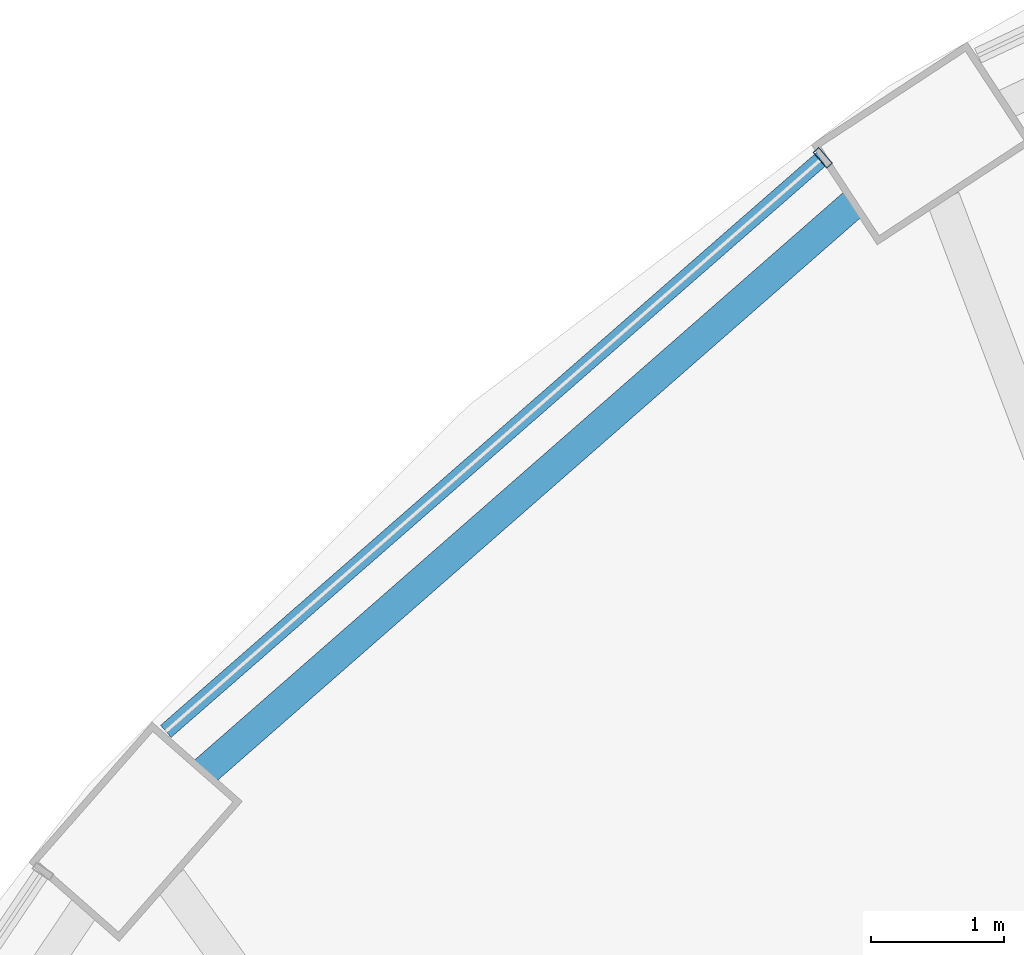
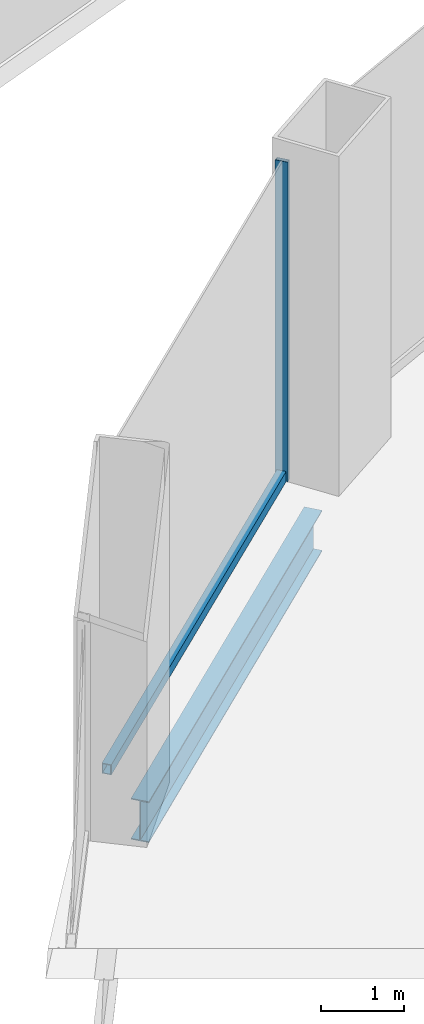
# One storey, part 29 of 48: 2 members, 1 beam, 1 element without a shape of its own.
"""IFC4 building model written with IfcOpenShell, lengths in metres."""

from ifc_helpers import new_model, si_unit, direction, frame, origin, origin_2d, place, context, subcontext, project, spatial, hollow_rectangle, i_section, extrude, material, layer, layer_set, material_profile, profile_set, type_object, element, aggregate, save


model = new_model("IFC4")

# Units and contexts
model_context = context("Model", 3, precision=1e-05, world=origin(), true_north=direction((0.0, 1.0)))
body_context = subcontext(model_context, "Body", "Model", "MODEL_VIEW")
ifc_project = project(units=[si_unit("LENGTHUNIT", "METRE"), si_unit("AREAUNIT", "SQUARE_METRE"), si_unit("VOLUMEUNIT", "CUBIC_METRE"), si_unit("PLANEANGLEUNIT", "RADIAN"), si_unit("MASSUNIT", "GRAM", prefix="KILO")], contexts=[model_context])

# Site, building, storey
site_placement = place(None, origin())
site = spatial("IfcSite", under=ifc_project, at=site_placement, CompositionType="ELEMENT")
building_placement = place(site_placement, origin())
building = spatial("IfcBuilding", under=site, at=building_placement, Name="Nagisa Residences", CompositionType="ELEMENT")
storey_placement = place(building_placement, frame((0.0, 0.0, 12.0)))
storey = spatial("IfcBuildingStorey", under=building, at=storey_placement, Name="L02", CompositionType="ELEMENT", Elevation=12.0)

# Curtain wall, members
ifc_material_1 = material(Name="Stainless steel curtain wall system", Category="steel")
ifc_layer = layer(ifc_material_1, 0.159912109375)
ifc_layer_set = layer_set([ifc_layer], Name="CW6 CURTAIN WALL")
curtain_wall_type = type_object("IfcCurtainWallType", Name="CW6 CURTAIN WALL", PredefinedType="NOTDEFINED", material=ifc_layer_set)
curtain_wall_placement = place(storey_placement, origin())
curtain_wall = element("IfcCurtainWall", 1, at=curtain_wall_placement, inside=storey, type_object=curtain_wall_type, Name="cw:CW6:L02:16", PredefinedType="NOTDEFINED")
ifc_material_2 = material(Name="Stainless steel", Category="steel")
ifc_material_profile_1 = material_profile(ifc_material_2, hollow_rectangle(XDim=0.159912109375, YDim=0.06005859375, WallThickness=0.006103515625, at=origin_2d()), Name="CW6 MULLION 160x60")
ifc_profile_set_1 = profile_set([ifc_material_profile_1], Name="Stainless steel")
member_type_1 = type_object("IfcMemberType", Name="CW6 MULLION 160x60", PredefinedType="MULLION", material=ifc_profile_set_1)
member_1_placement = place(storey_placement, frame((-11.397216796875, 28.038330078125, 0.0), z_axis=(0.0, 0.0, 1.0), x_axis=(0.657721475708, -0.753261216572, 0.0)))
member_1 = element("IfcMember", 2, at=member_1_placement, type_object=member_type_1, Name="CW6 mullion", PredefinedType="MULLION", context=body_context, shape_type="SweptSolid", body=[
    extrude(hollow_rectangle(XDim=0.159912109375, YDim=0.06005859375, WallThickness=0.006103515625, at=origin_2d()), origin(), (0.0, 0.0, 1.0), 4.699951171875),
])
ifc_material_3 = material(Name="Stainless steel", Category="steel")
ifc_material_profile_2 = material_profile(ifc_material_3, hollow_rectangle(XDim=0.1201171875, YDim=0.14990234375, WallThickness=0.008056640625, at=origin_2d()), Name="CW6 TRANSOM 120x150")
ifc_profile_set_2 = profile_set([ifc_material_profile_2], Name="Stainless steel")
member_type_2 = type_object("IfcMemberType", Name="CW6 TRANSOM 120x150", PredefinedType="USERDEFINED", material=ifc_profile_set_2)
member_2_placement = place(storey_placement, frame((-11.374755859375, 28.05810546875, 0.074951171875), z_axis=(-0.753255020636, -0.657728571591, 0.0), x_axis=(0.657728571591, -0.753255020636, 0.0)))
member_2 = element("IfcMember", 3, at=member_2_placement, type_object=member_type_2, Name="CW6 transom", ObjectType="TRANSOM", PredefinedType="USERDEFINED", context=body_context, shape_type="SweptSolid", body=[
    extrude(hollow_rectangle(XDim=0.1201171875, YDim=0.14990234375, WallThickness=0.008056640625, at=origin_2d()), origin(), (0.0, 0.0, 1.0), 6.5732421875),
])
aggregate(curtain_wall, [member_1, member_2])

# Beam
ifc_material_4 = material(Name="Steel ASTM A572 Gr 50", Category="steel")
ifc_material_profile_3 = material_profile(ifc_material_4, i_section(OverallWidth=0.22802734375, OverallDepth=0.60302734375, WebThickness=0.010498046875, FlangeThickness=0.014892578125, at=origin_2d()), Name="W610x101")
ifc_profile_set_3 = profile_set([ifc_material_profile_3], Name="Steel ASTM A572 Gr 50")
beam_type = type_object("IfcBeamType", Name="Perimeter ring beam W610x101", PredefinedType="BEAM", material=ifc_profile_set_3)
beam_placement = place(storey_placement, frame((-11.166748046875, 27.693603515625, -0.6015625), z_axis=(-0.752574357292, -0.658507279191, 0.0), x_axis=(0.658507279191, -0.752574357292, 0.0)))
element("IfcBeam", 4, at=beam_placement, inside=storey, type_object=beam_type, Name="beam:L02:pb09", PredefinedType="BEAM", context=body_context, shape_type="SweptSolid", body=[
    extrude(i_section(OverallWidth=0.22802734375, OverallDepth=0.60302734375, WebThickness=0.010498046875, FlangeThickness=0.014892578125, at=origin_2d()), origin(), (0.0, 0.0, 1.0), 6.47021484375),
])

save(model, "model.ifc")
